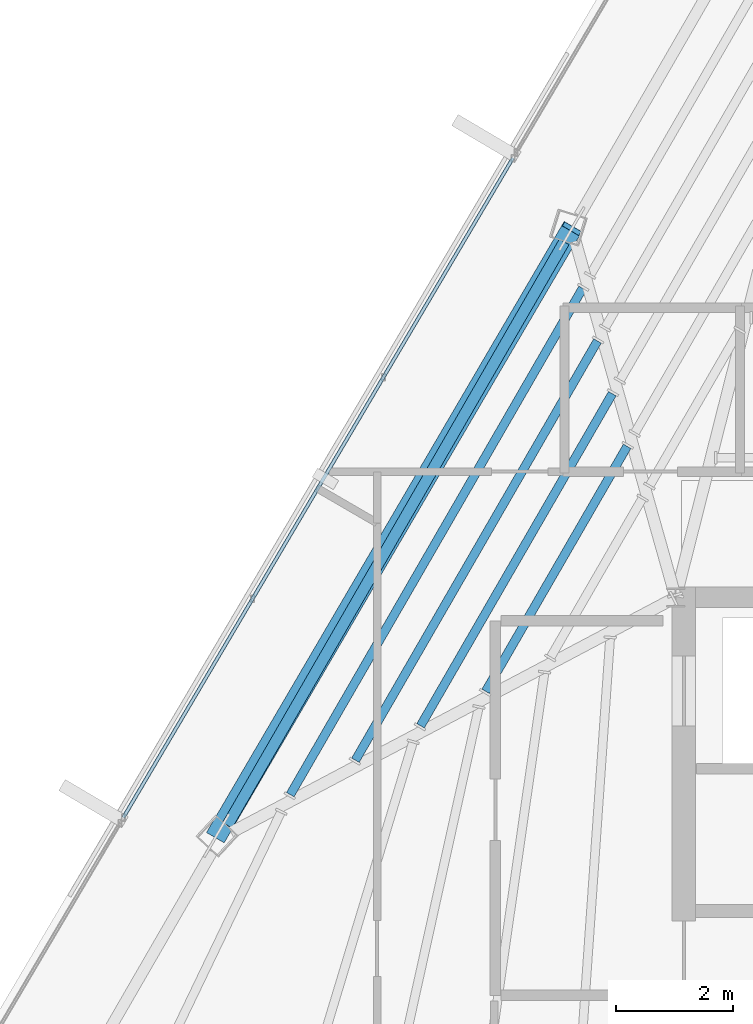
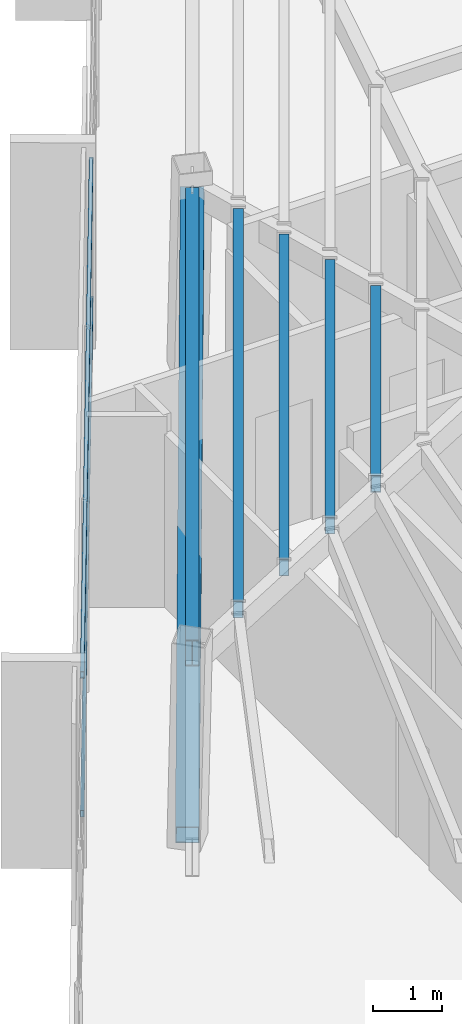
# One storey, part 18 of 48: 5 beams, 3 members, 1 element without a shape of its own.
"""IFC4 building model written with IfcOpenShell, lengths in metres."""

from ifc_helpers import new_model, si_unit, direction, frame, origin, origin_2d, place, context, subcontext, project, spatial, hollow_rectangle, i_section, extrude, source, transform, mapped, material, material_profile, profile_set, type_object, type_shapes, element, aggregate, save


model = new_model("IFC4")

# Units and contexts
model_context = context("Model", 3, precision=1e-05, world=origin(), true_north=direction((0.0, 1.0)))
body_context = subcontext(model_context, "Body", "Model", "MODEL_VIEW")
ifc_project = project(units=[si_unit("LENGTHUNIT", "METRE"), si_unit("AREAUNIT", "SQUARE_METRE"), si_unit("VOLUMEUNIT", "CUBIC_METRE"), si_unit("PLANEANGLEUNIT", "RADIAN"), si_unit("MASSUNIT", "GRAM", prefix="KILO")], contexts=[model_context])

# Site, building, storey
site_placement = place(None, origin())
site = spatial("IfcSite", under=ifc_project, at=site_placement, CompositionType="ELEMENT")
building_placement = place(site_placement, origin())
building = spatial("IfcBuilding", under=site, at=building_placement, Name="Caelisora Broadcast Tower", CompositionType="ELEMENT")
storey_placement = place(building_placement, frame((0.0, 0.0, 277.300048828125)))
storey = spatial("IfcBuildingStorey", under=building, at=storey_placement, Name="L73", CompositionType="ELEMENT", Elevation=277.300048828125)

# Beams
ifc_material_1 = material(Name="Steel Grade 350 (AS/NZS 3679.1)", Category="steel")
ifc_material_profile_1 = material_profile(ifc_material_1, i_section(OverallWidth=0.19091796875, OverallDepth=0.46044921875, WebThickness=0.010009765625, FlangeThickness=0.01611328125, at=origin_2d()), Name="Steel Grade 350 (AS/NZS 3679.1)")
ifc_profile_set_1 = profile_set([ifc_material_profile_1], Name="Steel Grade 350 (AS/NZS 3679.1)")
beam_type_1 = type_object("IfcBeamType", Name="PG06", PredefinedType="BEAM", material=ifc_profile_set_1)
shared_shape_1 = source(origin(), body_context, "Body", "SweptSolid", [
    extrude(i_section(OverallWidth=0.19091796875, OverallDepth=0.46044921875, WebThickness=0.010009765625, FlangeThickness=0.01611328125, at=origin_2d()), origin(), (0.0, 0.0, 1.0), 11.509521484375),
])
type_shapes(beam_type_1, [shared_shape_1])
beam_1_placement = place(storey_placement, frame((28.595703125, 36.07470703125, 3.169677734375), z_axis=(-0.500008281547, -0.866020622378, 0.0), x_axis=(0.866020622378, -0.500008281547, 0.0)))
element("IfcBeam", 1, at=beam_1_placement, inside=storey, type_object=beam_type_1, Name="L73 beam PG06", PredefinedType="BEAM", context=body_context, shape_type="MappedRepresentation", body=[
    mapped(shared_shape_1, transform((0.0, 0.0, 0.0), scale=1.0)),
])
ifc_material_2 = material(Name="Steel Grade 350 (AS/NZS 1163 C350L0)", Category="steel")
ifc_material_profile_2 = material_profile(ifc_material_2, hollow_rectangle(XDim=0.14990234375, YDim=0.300048828125, WallThickness=0.010009765625, at=origin_2d()), Name="Steel Grade 350 (AS/NZS 1163 C350L0)")
ifc_profile_set_2 = profile_set([ifc_material_profile_2], Name="Steel Grade 350 (AS/NZS 1163 C350L0)")
beam_type_2 = type_object("IfcBeamType", Name="SB05", PredefinedType="JOIST", material=ifc_profile_set_2)
shared_shape_2 = source(origin(), body_context, "Body", "SweptSolid", [
    extrude(hollow_rectangle(XDim=0.14990234375, YDim=0.300048828125, WallThickness=0.010009765625, at=origin_2d()), origin(), (0.0, 0.0, 1.0), 4.833740234375),
])
beam_2_placement = place(storey_placement, frame((29.671142578125, 32.58154296875, 3.25), z_axis=(-0.499968745979, -0.86604344755, 0.0), x_axis=(0.86604344755, -0.499968745979, 0.0)))
element("IfcBeam", 2, at=beam_2_placement, inside=storey, type_object=beam_type_2, Name="L73 beam SB05", PredefinedType="JOIST", context=body_context, shape_type="MappedRepresentation", body=[
    mapped(shared_shape_2, transform((0.0, 0.0, 0.0), scale=1.0)),
])
shared_shape_3 = source(origin(), body_context, "Body", "SweptSolid", [
    extrude(hollow_rectangle(XDim=0.14990234375, YDim=0.300048828125, WallThickness=0.010009765625, at=origin_2d()), origin(), (0.0, 0.0, 1.0), 6.552490234375),
])
beam_3_placement = place(storey_placement, frame((29.417724609375, 33.481689453125, 3.25), z_axis=(-0.49997402144, -0.866040401994, 0.0), x_axis=(0.866040401994, -0.49997402144, 0.0)))
element("IfcBeam", 3, at=beam_3_placement, inside=storey, type_object=beam_type_2, Name="L73 beam SB05", PredefinedType="JOIST", context=body_context, shape_type="MappedRepresentation", body=[
    mapped(shared_shape_3, transform((0.0, 0.0, 0.0), scale=1.0)),
])
shared_shape_4 = source(origin(), body_context, "Body", "SweptSolid", [
    extrude(hollow_rectangle(XDim=0.14990234375, YDim=0.300048828125, WallThickness=0.010009765625, at=origin_2d()), origin(), (0.0, 0.0, 1.0), 8.27099609375),
])
beam_4_placement = place(storey_placement, frame((29.164306640625, 34.381591796875, 3.25), z_axis=(-0.500002666615, -0.866023864208, 0.0), x_axis=(0.866023864208, -0.500002666615, 0.0)))
element("IfcBeam", 4, at=beam_4_placement, inside=storey, type_object=beam_type_2, Name="L73 beam SB05", PredefinedType="JOIST", context=body_context, shape_type="MappedRepresentation", body=[
    mapped(shared_shape_4, transform((0.0, 0.0, 0.0), scale=1.0)),
])
shared_shape_5 = source(origin(), body_context, "Body", "SweptSolid", [
    extrude(hollow_rectangle(XDim=0.14990234375, YDim=0.300048828125, WallThickness=0.010009765625, at=origin_2d()), origin(), (0.0, 0.0, 1.0), 9.989501953125),
])
type_shapes(beam_type_2, [shared_shape_2, shared_shape_3, shared_shape_4, shared_shape_5])
beam_5_placement = place(storey_placement, frame((28.91064453125, 35.281494140625, 3.25), z_axis=(-0.499992543559, -0.86602970872, 0.0), x_axis=(0.86602970872, -0.499992543559, 0.0)))
element("IfcBeam", 5, at=beam_5_placement, inside=storey, type_object=beam_type_2, Name="L73 beam SB05", PredefinedType="JOIST", context=body_context, shape_type="MappedRepresentation", body=[
    mapped(shared_shape_5, transform((0.0, 0.0, 0.0), scale=1.0)),
])

# Member
ifc_material_3 = material(Name="Steel Grade 450 (AS/NZS 1163 C450L0)", Category="steel")
ifc_material_profile_3 = material_profile(ifc_material_3, hollow_rectangle(XDim=0.35009765625, YDim=0.35009765625, WallThickness=0.012451171875, at=origin_2d()), Name="Steel Grade 450 (AS/NZS 1163 C450L0)")
ifc_profile_set_3 = profile_set([ifc_material_profile_3], Name="Steel Grade 450 (AS/NZS 1163 C450L0)")
member_type_1 = type_object("IfcMemberType", Name="BR05", PredefinedType="BRACE", material=ifc_profile_set_3)
shared_shape_6 = source(origin(), body_context, "Body", "SweptSolid", [
    extrude(hollow_rectangle(XDim=0.35009765625, YDim=0.35009765625, WallThickness=0.012451171875, at=origin_2d()), origin(), (0.0, 0.0, 1.0), 12.38232421875),
])
type_shapes(member_type_1, [shared_shape_6])
member_1_placement = place(storey_placement, frame((28.7255859375, 36.2998046875, 3.099853515625), z_axis=(-0.490140570836, -0.837294721473, -0.242280354577), x_axis=(0.863006905788, -0.505192122427, 0.0)))
element("IfcMember", 6, at=member_1_placement, inside=storey, type_object=member_type_1, Name="L73 perimeter brace BR05", PredefinedType="BRACE", context=body_context, shape_type="MappedRepresentation", body=[
    mapped(shared_shape_6, transform((0.0, 0.0, 0.0), scale=1.0)),
])

# Curtain wall, members
ifc_material_4 = material(Name="Unitised Aluminium Insulated Shadow-Box Spandrel Curtain Wall", Category="aluminium")
curtain_wall_type = type_object("IfcCurtainWallType", Name="CW-SP3", PredefinedType="NOTDEFINED", material=ifc_material_4)
curtain_wall_placement = place(storey_placement, origin())
curtain_wall = element("IfcCurtainWall", 7, at=curtain_wall_placement, inside=storey, type_object=curtain_wall_type, Name="L73 curtain wall CW-SP3", PredefinedType="NOTDEFINED")
ifc_material_5 = material(Name="Aluminium 6063-T6 Anodised Terracotta Bronze", Category="aluminium")
ifc_material_profile_4 = material_profile(ifc_material_5, hollow_rectangle(XDim=0.06005859375, YDim=0.1201171875, WallThickness=0.0029296875, at=origin_2d()), Name="Aluminium 6063-T6 Anodised Terracotta Bronze")
ifc_profile_set_4 = profile_set([ifc_material_profile_4], Name="Aluminium 6063-T6 Anodised Terracotta Bronze")
member_type_2 = type_object("IfcMemberType", Name="CWT-03", PredefinedType="USERDEFINED", material=ifc_profile_set_4)
shared_shape_7 = source(origin(), body_context, "Body", "SweptSolid", [
    extrude(hollow_rectangle(XDim=0.06005859375, YDim=0.1201171875, WallThickness=0.0029296875, at=origin_2d()), origin(), (0.0, 0.0, 1.0), 13.08642578125),
])
type_shapes(member_type_2, [shared_shape_7])
member_2_placement = place(storey_placement, frame((21.063720703125, 26.239990234375, 0.849853515625), z_axis=(0.508640057213, 0.860979263512, 0.0), x_axis=(-0.860979263512, 0.508640057213, 0.0)))
member_2 = element("IfcMember", 8, at=member_2_placement, type_object=member_type_2, Name="L73-CW-B10 transom #1", ObjectType="TRANSOM", PredefinedType="USERDEFINED", context=body_context, shape_type="MappedRepresentation", body=[
    mapped(shared_shape_7, transform((0.0, 0.0, 0.0), scale=1.0)),
])
member_3_placement = place(storey_placement, frame((21.063720703125, 26.239990234375, 3.320068359375), z_axis=(0.508640057213, 0.860979263512, 0.0), x_axis=(-0.860979263512, 0.508640057213, 0.0)))
member_3 = element("IfcMember", 9, at=member_3_placement, type_object=member_type_2, Name="L73-CW-B10 transom #2", ObjectType="TRANSOM", PredefinedType="USERDEFINED", context=body_context, shape_type="MappedRepresentation", body=[
    mapped(shared_shape_7, transform((0.0, 0.0, 0.0), scale=1.0)),
])
aggregate(curtain_wall, [member_2, member_3])

save(model, "model.ifc")
